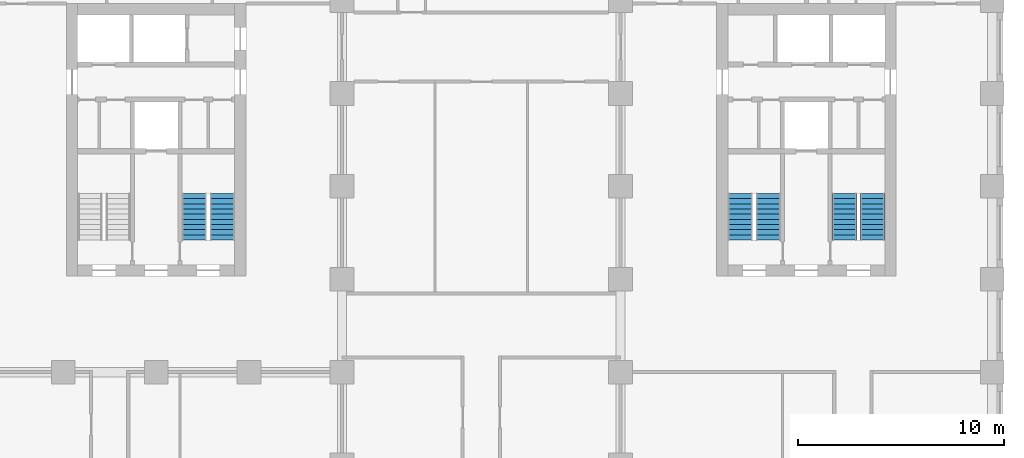
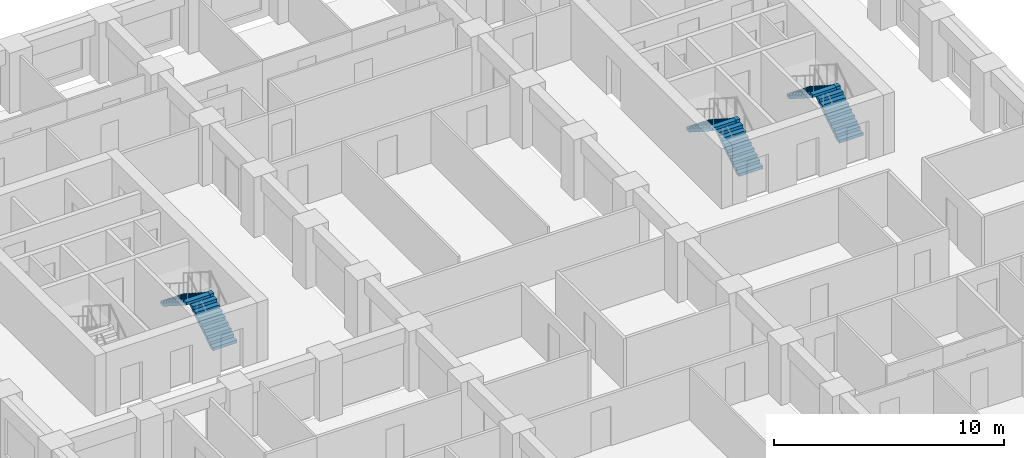
# One storey, part 10 of 13: 6 stair flights, 3 elements without a shape of their own.
"""IFC4 building model written with IfcOpenShell, lengths in metres."""

from ifc_helpers import new_model, si_unit, direction, frame, origin, place, context, subcontext, project, spatial, polyline, outline, extrude, material, type_object, element, aggregate, save


model = new_model("IFC4")

# Units and contexts
model_context = context("Model", 3, precision=1e-05, world=origin(), true_north=direction((0.0, 1.0)))
body_context = subcontext(model_context, "Body", "Model", "MODEL_VIEW")
ifc_project = project(units=[si_unit("LENGTHUNIT", "METRE"), si_unit("AREAUNIT", "SQUARE_METRE"), si_unit("VOLUMEUNIT", "CUBIC_METRE"), si_unit("PLANEANGLEUNIT", "RADIAN"), si_unit("MASSUNIT", "GRAM", prefix="KILO")], contexts=[model_context])

# Site, building, storey
site_placement = place(None, origin())
site = spatial("IfcSite", under=ifc_project, at=site_placement, CompositionType="ELEMENT")
building_placement = place(site_placement, origin())
building = spatial("IfcBuilding", under=site, at=building_placement, Name="Girih Gate Residences", CompositionType="ELEMENT")
storey_placement = place(building_placement, frame((0.0, 0.0, 92.800048828125)))
storey = spatial("IfcBuildingStorey", under=building, at=storey_placement, Name="L25", CompositionType="ELEMENT", Elevation=92.800048828125)

# Stair, stair flights
ifc_material = material(Name="Concrete C40/50", Category="concrete")
stair_type = type_object("IfcStairType", Name="Exit stair", PredefinedType="HALF_TURN_STAIR", material=ifc_material)
stair_1_placement = place(storey_placement, origin())
stair_1 = element("IfcStair", 1, at=stair_1_placement, inside=storey, type_object=stair_type, Name="L25 Exit Stair ST-W2", PredefinedType="HALF_TURN_STAIR")
stair_flight_type = type_object("IfcStairFlightType", Name="Stair flight 1200", PredefinedType="STRAIGHT", material=ifc_material)
stair_flight_1_placement = place(storey_placement, frame((12.199951171875, 28.89990234375, 0.0), z_axis=(0.0, 0.0, 1.0), x_axis=(0.0, 1.0, 0.0)))
stair_flight_1 = element("IfcStairFlight", 2, at=stair_flight_1_placement, type_object=stair_flight_type, Name="ST-W2 flight 1", NumberOfRisers=10, NumberOfTreads=9, PredefinedType="STRAIGHT", RiserHeight=0.16, TreadLength=0.25, context=body_context, shape_type="SweptSolid", body=[
    extrude(outline(polyline([(0.0, 0.0), (0.0, 0.159912109375), (0.25, 0.159912109375), (0.25, 0.320068359375), (0.5, 0.320068359375), (0.5, 0.47998046875), (0.75, 0.47998046875), (0.75, 0.639892578125), (1.0, 0.639892578125), (1.0, 0.800048828125), (1.25, 0.800048828125), (1.25, 0.9599609375), (1.5, 0.9599609375), (1.5, 1.1201171875), (1.75, 1.1201171875), (1.75, 1.280029296875), (2.0, 1.280029296875), (2.0, 1.43994140625), (2.25, 1.43994140625), (2.25, 1.60009765625), (2.25, 1.29736328125), (0.222900390625, 0.0), (0.0, 0.0)])), frame((0.0, 0.60009765625, 0.0), z_axis=(0.0, -1.0, 0.0), x_axis=(1.0, 0.0, 0.0)), (0.0, 0.0, 1.0), 1.199951171875),
])
stair_flight_2_placement = place(storey_placement, frame((10.85009765625, 31.14990234375, 1.599853515625), z_axis=(0.0, 0.0, 1.0), x_axis=(0.0, -1.0, 0.0)))
stair_flight_2 = element("IfcStairFlight", 3, at=stair_flight_2_placement, type_object=stair_flight_type, Name="ST-W2 flight 2", NumberOfRisers=10, NumberOfTreads=9, PredefinedType="STRAIGHT", RiserHeight=0.16, TreadLength=0.25, context=body_context, shape_type="SweptSolid", body=[
    extrude(outline(polyline([(0.0, 0.0), (0.0, 0.159912109375), (0.25, 0.159912109375), (0.25, 0.320068359375), (0.5, 0.320068359375), (0.5, 0.47998046875), (0.75, 0.47998046875), (0.75, 0.639892578125), (1.0, 0.639892578125), (1.0, 0.800048828125), (1.25, 0.800048828125), (1.25, 0.9599609375), (1.5, 0.9599609375), (1.5, 1.1201171875), (1.75, 1.1201171875), (1.75, 1.280029296875), (2.0, 1.280029296875), (2.0, 1.43994140625), (2.25, 1.43994140625), (2.25, 1.60009765625), (2.25, 1.29736328125), (0.222900390625, 0.0), (0.0, 0.0)])), frame((0.0, 0.60009765625, 0.0), z_axis=(0.0, -1.0, 0.0), x_axis=(1.0, 0.0, 0.0)), (0.0, 0.0, 1.0), 1.199951171875),
])
aggregate(stair_1, [stair_flight_1, stair_flight_2])

stair_2_placement = place(storey_placement, origin())
stair_2 = element("IfcStair", 4, at=stair_2_placement, inside=storey, type_object=stair_type, Name="L25 Exit Stair ST-E1", PredefinedType="HALF_TURN_STAIR")
stair_flight_3_placement = place(storey_placement, frame((43.699951171875, 28.89990234375, 0.0), z_axis=(0.0, 0.0, 1.0), x_axis=(0.0, 1.0, 0.0)))
stair_flight_3 = element("IfcStairFlight", 5, at=stair_flight_3_placement, type_object=stair_flight_type, Name="ST-E1 flight 1", NumberOfRisers=10, NumberOfTreads=9, PredefinedType="STRAIGHT", RiserHeight=0.16, TreadLength=0.25, context=body_context, shape_type="SweptSolid", body=[
    extrude(outline(polyline([(0.0, 0.0), (0.0, 0.159912109375), (0.25, 0.159912109375), (0.25, 0.320068359375), (0.5, 0.320068359375), (0.5, 0.47998046875), (0.75, 0.47998046875), (0.75, 0.639892578125), (1.0, 0.639892578125), (1.0, 0.800048828125), (1.25, 0.800048828125), (1.25, 0.9599609375), (1.5, 0.9599609375), (1.5, 1.1201171875), (1.75, 1.1201171875), (1.75, 1.280029296875), (2.0, 1.280029296875), (2.0, 1.43994140625), (2.25, 1.43994140625), (2.25, 1.60009765625), (2.25, 1.29736328125), (0.222900390625, 0.0), (0.0, 0.0)])), frame((0.0, 0.60009765625, 0.0), z_axis=(0.0, -1.0, 0.0), x_axis=(1.0, 0.0, 0.0)), (0.0, 0.0, 1.0), 1.199951171875),
])
stair_flight_4_placement = place(storey_placement, frame((42.35009765625, 31.14990234375, 1.599853515625), z_axis=(0.0, 0.0, 1.0), x_axis=(0.0, -1.0, 0.0)))
stair_flight_4 = element("IfcStairFlight", 6, at=stair_flight_4_placement, type_object=stair_flight_type, Name="ST-E1 flight 2", NumberOfRisers=10, NumberOfTreads=9, PredefinedType="STRAIGHT", RiserHeight=0.16, TreadLength=0.25, context=body_context, shape_type="SweptSolid", body=[
    extrude(outline(polyline([(0.0, 0.0), (0.0, 0.159912109375), (0.25, 0.159912109375), (0.25, 0.320068359375), (0.5, 0.320068359375), (0.5, 0.47998046875), (0.75, 0.47998046875), (0.75, 0.639892578125), (1.0, 0.639892578125), (1.0, 0.800048828125), (1.25, 0.800048828125), (1.25, 0.9599609375), (1.5, 0.9599609375), (1.5, 1.1201171875), (1.75, 1.1201171875), (1.75, 1.280029296875), (2.0, 1.280029296875), (2.0, 1.43994140625), (2.25, 1.43994140625), (2.25, 1.60009765625), (2.25, 1.29736328125), (0.222900390625, 0.0), (0.0, 0.0)])), frame((0.0, 0.60009765625, 0.0), z_axis=(0.0, -1.0, 0.0), x_axis=(1.0, 0.0, 0.0)), (0.0, 0.0, 1.0), 1.199951171875),
])
aggregate(stair_2, [stair_flight_3, stair_flight_4])

stair_3_placement = place(storey_placement, origin())
stair_3 = element("IfcStair", 7, at=stair_3_placement, inside=storey, type_object=stair_type, Name="L25 Exit Stair ST-E2", PredefinedType="HALF_TURN_STAIR")
stair_flight_5_placement = place(storey_placement, frame((38.64990234375, 28.89990234375, 0.0), z_axis=(0.0, 0.0, 1.0), x_axis=(0.0, 1.0, 0.0)))
stair_flight_5 = element("IfcStairFlight", 8, at=stair_flight_5_placement, type_object=stair_flight_type, Name="ST-E2 flight 1", NumberOfRisers=10, NumberOfTreads=9, PredefinedType="STRAIGHT", RiserHeight=0.16, TreadLength=0.25, context=body_context, shape_type="SweptSolid", body=[
    extrude(outline(polyline([(0.0, 0.0), (0.0, 0.159912109375), (0.25, 0.159912109375), (0.25, 0.320068359375), (0.5, 0.320068359375), (0.5, 0.47998046875), (0.75, 0.47998046875), (0.75, 0.639892578125), (1.0, 0.639892578125), (1.0, 0.800048828125), (1.25, 0.800048828125), (1.25, 0.9599609375), (1.5, 0.9599609375), (1.5, 1.1201171875), (1.75, 1.1201171875), (1.75, 1.280029296875), (2.0, 1.280029296875), (2.0, 1.43994140625), (2.25, 1.43994140625), (2.25, 1.60009765625), (2.25, 1.29736328125), (0.222900390625, 0.0), (0.0, 0.0)])), frame((0.0, 0.60009765625, 0.0), z_axis=(0.0, -1.0, 0.0), x_axis=(1.0, 0.0, 0.0)), (0.0, 0.0, 1.0), 1.199951171875),
])
stair_flight_6_placement = place(storey_placement, frame((37.300048828125, 31.14990234375, 1.599853515625), z_axis=(0.0, 0.0, 1.0), x_axis=(0.0, -1.0, 0.0)))
stair_flight_6 = element("IfcStairFlight", 9, at=stair_flight_6_placement, type_object=stair_flight_type, Name="ST-E2 flight 2", NumberOfRisers=10, NumberOfTreads=9, PredefinedType="STRAIGHT", RiserHeight=0.16, TreadLength=0.25, context=body_context, shape_type="SweptSolid", body=[
    extrude(outline(polyline([(0.0, 0.0), (0.0, 0.159912109375), (0.25, 0.159912109375), (0.25, 0.320068359375), (0.5, 0.320068359375), (0.5, 0.47998046875), (0.75, 0.47998046875), (0.75, 0.639892578125), (1.0, 0.639892578125), (1.0, 0.800048828125), (1.25, 0.800048828125), (1.25, 0.9599609375), (1.5, 0.9599609375), (1.5, 1.1201171875), (1.75, 1.1201171875), (1.75, 1.280029296875), (2.0, 1.280029296875), (2.0, 1.43994140625), (2.25, 1.43994140625), (2.25, 1.60009765625), (2.25, 1.29736328125), (0.222900390625, 0.0), (0.0, 0.0)])), frame((0.0, 0.60009765625, 0.0), z_axis=(0.0, -1.0, 0.0), x_axis=(1.0, 0.0, 0.0)), (0.0, 0.0, 1.0), 1.199951171875),
])
aggregate(stair_3, [stair_flight_5, stair_flight_6])

save(model, "model.ifc")
